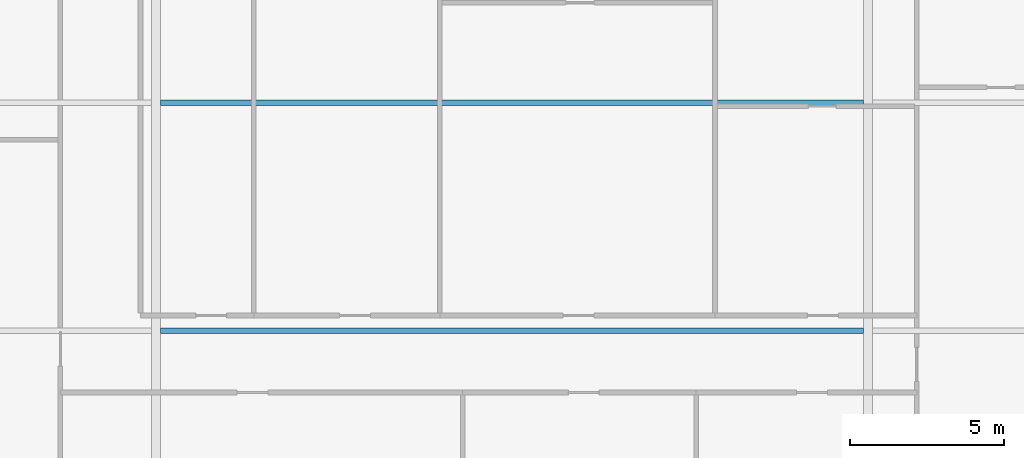
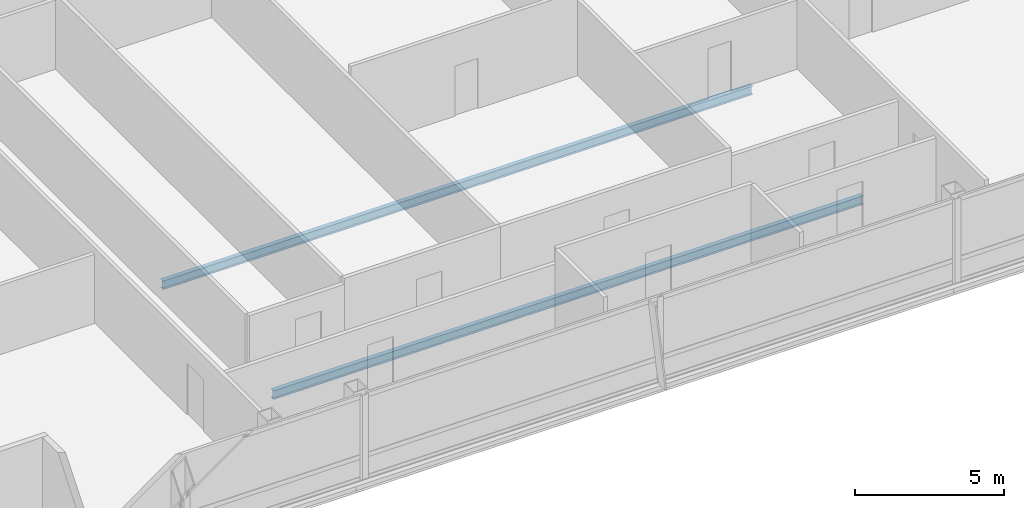
# One storey, part 8 of 26: 2 beams.
"""IFC4 building model written with IfcOpenShell, lengths in metres."""

from ifc_helpers import new_model, si_unit, direction, frame, origin, origin_2d, place, context, subcontext, project, spatial, i_section, extrude, material, material_profile, profile_set, type_object, element, save


model = new_model("IFC4")

# Units and contexts
model_context = context("Model", 3, precision=1e-05, world=origin(), true_north=direction((0.0, 1.0)))
body_context = subcontext(model_context, "Body", "Model", "MODEL_VIEW")
ifc_project = project(units=[si_unit("LENGTHUNIT", "METRE"), si_unit("AREAUNIT", "SQUARE_METRE"), si_unit("VOLUMEUNIT", "CUBIC_METRE"), si_unit("PLANEANGLEUNIT", "RADIAN"), si_unit("MASSUNIT", "GRAM", prefix="KILO")], contexts=[model_context])

# Site, building, storey
site_placement = place(None, origin())
site = spatial("IfcSite", under=ifc_project, at=site_placement, CompositionType="ELEMENT")
building_placement = place(site_placement, origin())
building = spatial("IfcBuilding", under=site, at=building_placement, Name="Khoronbel Lancet Exchange", CompositionType="ELEMENT")
storey_placement = place(building_placement, frame((0.0, 0.0, 339.800048828125)))
storey = spatial("IfcBuildingStorey", under=building, at=storey_placement, Name="L88", CompositionType="ELEMENT", Elevation=339.800048828125)

# Beams
ifc_material = material(Name="Steel S355", Category="steel")
ifc_material_profile = material_profile(ifc_material, i_section(OverallWidth=0.169921875, OverallDepth=0.360107421875, WebThickness=0.008056640625, FlangeThickness=0.0126953125, at=origin_2d()), Name="IPE 360")
ifc_profile_set = profile_set([ifc_material_profile], Name="Steel S355")
beam_type = type_object("IfcBeamType", Name="BM-BJ6", PredefinedType="JOIST", material=ifc_profile_set)
for number, where, z_axis, x_axis, name in (
    (1, (25.050048828125, 16.0, -0.340087890625), (1.0, 0.0, 0.0), (0.0, 1.0, 0.0), "Level L88 secondary composite joist J02"),
    (2, (25.050048828125, 23.39990234375, -0.340087890625), (1.0, 0.0, 0.0), (0.0, 1.0, 0.0), "Level L88 secondary composite joist J05"),
):
    element("IfcBeam", number, at=place(storey_placement, frame(where, z_axis=z_axis, x_axis=x_axis)), inside=storey, type_object=beam_type, Name=name, PredefinedType="JOIST", context=body_context, shape_type="SweptSolid", body=[
        extrude(i_section(OverallWidth=0.169921875, OverallDepth=0.360107421875, WebThickness=0.008056640625, FlangeThickness=0.0126953125, at=origin_2d()), origin(), (0.0, 0.0, 1.0), 22.800048828125),
    ])

save(model, "model.ifc")
